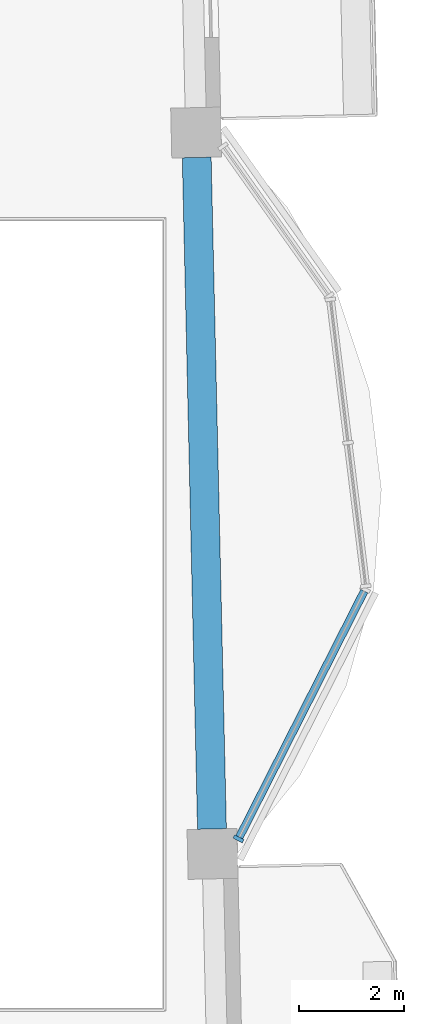
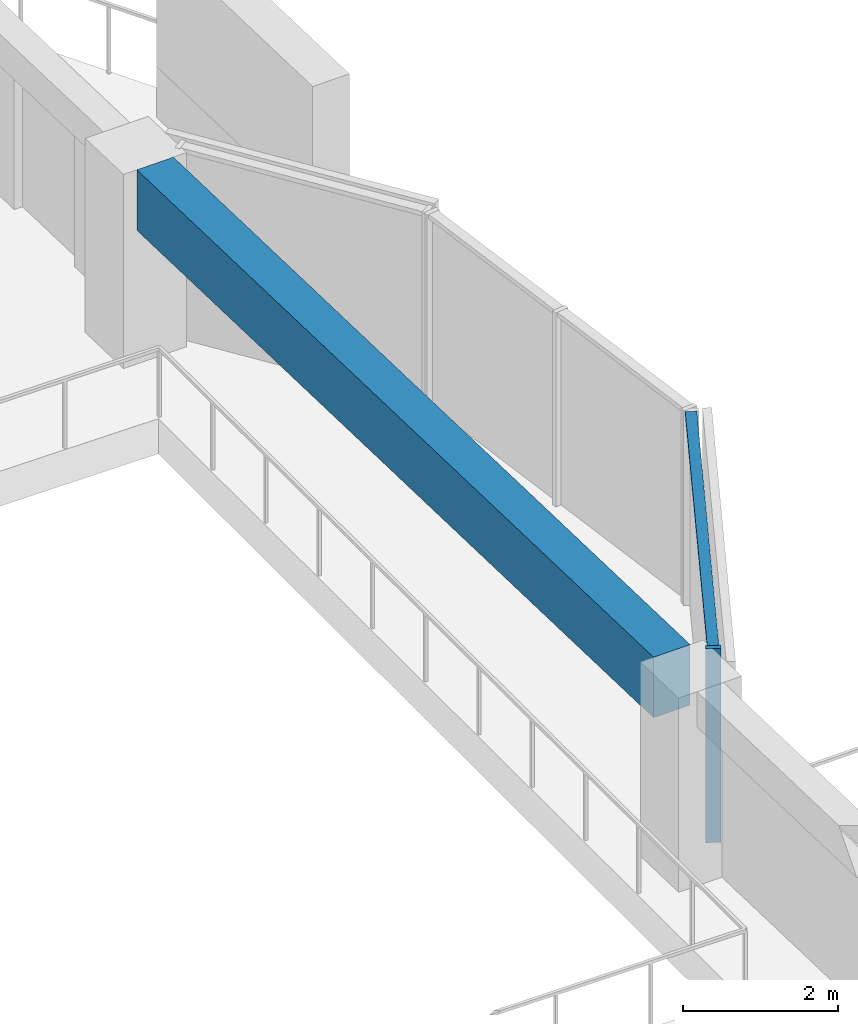
# One storey, part 2 of 18: 2 members, 1 beam, 1 element without a shape of its own.
"""IFC4 building model written with IfcOpenShell, lengths in metres."""

from ifc_helpers import new_model, si_unit, direction, frame, origin, origin_2d, place, context, subcontext, project, spatial, rectangle, extrude, material, material_profile, profile_set, type_object, element, aggregate, save


model = new_model("IFC4")

# Units and contexts
model_context = context("Model", 3, precision=1e-05, world=origin(), true_north=direction((0.0, 1.0)))
body_context = subcontext(model_context, "Body", "Model", "MODEL_VIEW")
ifc_project = project(units=[si_unit("LENGTHUNIT", "METRE"), si_unit("AREAUNIT", "SQUARE_METRE"), si_unit("VOLUMEUNIT", "CUBIC_METRE"), si_unit("PLANEANGLEUNIT", "RADIAN"), si_unit("MASSUNIT", "GRAM", prefix="KILO")], contexts=[model_context])

# Site, building, storey
site_placement = place(None, origin())
site = spatial("IfcSite", under=ifc_project, at=site_placement, CompositionType="ELEMENT")
building_placement = place(site_placement, origin())
building = spatial("IfcBuilding", under=site, at=building_placement, Name="Mangrove Gate Tower", CompositionType="ELEMENT")
storey_placement = place(building_placement, frame((0.0, 0.0, 287.10009765625)))
storey = spatial("IfcBuildingStorey", under=building, at=storey_placement, Name="L73", CompositionType="ELEMENT", Elevation=287.10009765625)

# Curtain wall, members
ifc_material_1 = material(Name="Aluminium and glass curtain wall", Category="aluminium")
curtain_wall_type = type_object("IfcCurtainWallType", Name="Atrium garden-court glazing wall", PredefinedType="NOTDEFINED", material=ifc_material_1)
curtain_wall_placement = place(storey_placement, origin())
curtain_wall = element("IfcCurtainWall", 1, at=curtain_wall_placement, inside=storey, type_object=curtain_wall_type, Name="Atrium garden-court glazing E1f1", PredefinedType="NOTDEFINED")
ifc_material_2 = material(Name="Aluminium alloy 6063-T6", Category="aluminium")
ifc_material_profile_1 = material_profile(ifc_material_2, rectangle(XDim=0.070068359375, YDim=0.199951171875, at=origin_2d()))
ifc_profile_set_1 = profile_set([ifc_material_profile_1], Name="Aluminium alloy 6063-T6")
member_type_1 = type_object("IfcMemberType", Name="Atrium garden-court glazing mullion 70x200", PredefinedType="MULLION", material=ifc_profile_set_1)
member_1_placement = place(storey_placement, frame((31.336181640625, -4.276611328125, 0.0), z_axis=(0.0, 0.0, 1.0), x_axis=(0.452617386511, 0.891704828644, 0.0)))
member_1 = element("IfcMember", 2, at=member_1_placement, type_object=member_type_1, Name="CWA mullion 1", PredefinedType="MULLION", context=body_context, shape_type="SweptSolid", body=[
    extrude(rectangle(XDim=0.070068359375, YDim=0.199951171875, at=origin_2d()), origin(), (0.0, 0.0, 1.0), 3.0498046875),
])
ifc_material_3 = material(Name="Aluminium alloy 6063-T6", Category="aluminium")
ifc_material_profile_2 = material_profile(ifc_material_3, rectangle(XDim=0.070068359375, YDim=0.14990234375, at=origin_2d()))
ifc_profile_set_2 = profile_set([ifc_material_profile_2], Name="Aluminium alloy 6063-T6")
member_type_2 = type_object("IfcMemberType", Name="Atrium garden-court glazing transom 70x150", PredefinedType="USERDEFINED", material=ifc_profile_set_2)
member_2_placement = place(storey_placement, frame((31.35205078125, -4.245361328125, 3.014892578125), z_axis=(0.452628185689, 0.891699347045, 0.0), x_axis=(0.0, 0.0, 1.0)))
member_2 = element("IfcMember", 3, at=member_2_placement, type_object=member_type_2, Name="CWA transom 1.2", ObjectType="TRANSOM", PredefinedType="USERDEFINED", context=body_context, shape_type="SweptSolid", body=[
    extrude(rectangle(XDim=0.070068359375, YDim=0.14990234375, at=origin_2d()), origin(), (0.0, 0.0, 1.0), 5.258544921875),
])
aggregate(curtain_wall, [member_1, member_2])

# Beam
ifc_material_4 = material(Name="Concrete C50/60", Category="concrete")
ifc_material_profile_3 = material_profile(ifc_material_4, rectangle(XDim=0.550048828125, YDim=0.949951171875, at=origin_2d()))
ifc_profile_set_3 = profile_set([ifc_material_profile_3], Name="Concrete C50/60")
beam_type = type_object("IfcBeamType", Name="Edge beam RC 550x950 C50/60", PredefinedType="BEAM", material=ifc_profile_set_3)
beam_placement = place(storey_placement, frame((30.830322265625, -4.0888671875, 2.574951171875), z_axis=(-0.022696710072, 0.999742396496, 0.0), x_axis=(-0.999742396496, -0.022696710072, 0.0)))
element("IfcBeam", 4, at=beam_placement, inside=storey, type_object=beam_type, Name="Edge beam L73 16", PredefinedType="BEAM", context=body_context, shape_type="SweptSolid", body=[
    extrude(rectangle(XDim=0.550048828125, YDim=0.949951171875, at=origin_2d()), origin(), (0.0, 0.0, 1.0), 12.800537109375),
])

save(model, "model.ifc")
